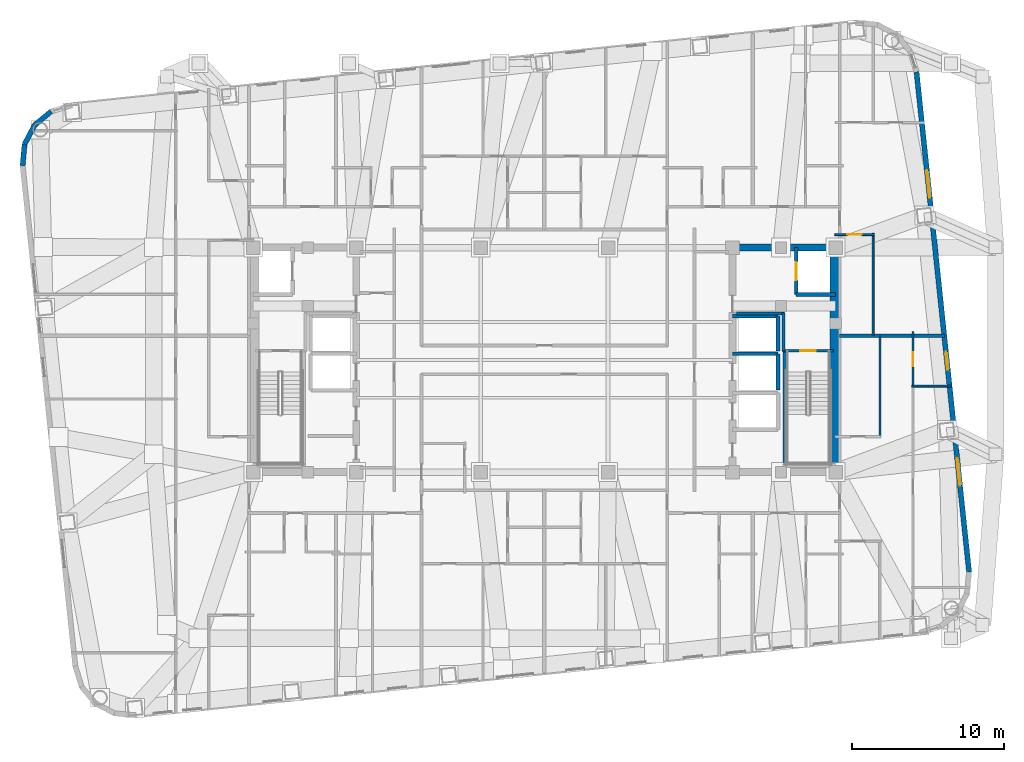
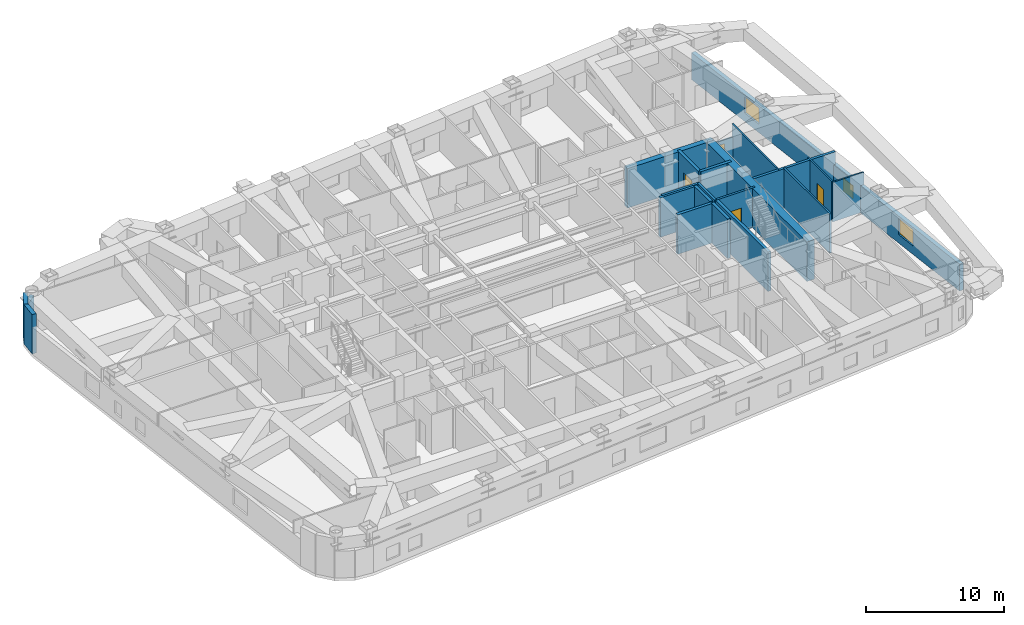
# One storey, part 8 of 13: 22 walls, 4 doors, 3 windows, 7 openings.
"""IFC4 building model written with IfcOpenShell, lengths in metres."""

from ifc_helpers import new_model, si_unit, direction, frame, frame_2d, origin, place, context, subcontext, project, spatial, rectangle, extrude, material, layer, layer_set, type_object, element, fill, save


model = new_model("IFC4")

# Units and contexts
model_context = context("Model", 3, precision=1e-05, world=origin(), true_north=direction((0.0, 1.0)))
body_context = subcontext(model_context, "Body", "Model", "MODEL_VIEW")
ifc_project = project(units=[si_unit("LENGTHUNIT", "METRE"), si_unit("AREAUNIT", "SQUARE_METRE"), si_unit("VOLUMEUNIT", "CUBIC_METRE"), si_unit("PLANEANGLEUNIT", "RADIAN"), si_unit("MASSUNIT", "GRAM", prefix="KILO")], contexts=[model_context])

# Site, building, storey
site_placement = place(None, origin())
site = spatial("IfcSite", under=ifc_project, at=site_placement, CompositionType="ELEMENT")
building_placement = place(site_placement, origin())
building = spatial("IfcBuilding", under=site, at=building_placement, Name="Voryun Gate Residences", CompositionType="ELEMENT")
storey_placement = place(building_placement, frame((0.0, 0.0, 191.10009765625)))
storey = spatial("IfcBuildingStorey", under=building, at=storey_placement, Name="L47", CompositionType="ELEMENT", Elevation=191.10009765625)

# Walls
ifc_material_1 = material(Name="Concrete C50/60", Category="concrete")
ifc_layer_1 = layer(ifc_material_1, 0.449951171875, Name="CW_CORE_450")
ifc_layer_set_1 = layer_set([ifc_layer_1], Name="Concrete C50/60")
wall_type_1 = type_object("IfcWallType", Name="CW_CORE_450", PredefinedType="SHEAR", material=ifc_layer_set_1)
wall_1_placement = place(storey_placement, frame((12.175048828125, 7.39990234375, 0.0), z_axis=(0.0, 0.0, 1.0), x_axis=(1.0, 0.0, 0.0)))
element("IfcWall", 1, at=wall_1_placement, inside=storey, type_object=wall_type_1, Name="L47 Core shear wall CW-L47-EN", PredefinedType="SHEAR", context=body_context, shape_type="SweptSolid", body=[
    extrude(rectangle(XDim=7.25, YDim=0.449951171875, at=frame_2d((3.625, 0.0))), origin(), (0.0, 0.0, 1.0), 3.5),
])
ifc_material_2 = material(Name="Concrete C60/75", Category="concrete")
ifc_layer_2 = layer(ifc_material_2, 0.64990234375, Name="CW_CORE_650")
ifc_layer_set_2 = layer_set([ifc_layer_2], Name="Concrete C60/75")
wall_type_2 = type_object("IfcWallType", Name="CW_CORE_650", PredefinedType="SHEAR", material=ifc_layer_set_2)
wall_2_placement = place(storey_placement, frame((19.14501953125, -7.39990234375, 0.0), z_axis=(0.0, 0.0, 1.0), x_axis=(0.0, 1.0, 0.0)))
element("IfcWall", 2, at=wall_2_placement, inside=storey, type_object=wall_type_2, Name="L47 Core shear wall CW-L47-EE", PredefinedType="SHEAR", context=body_context, shape_type="SweptSolid", body=[
    extrude(rectangle(XDim=14.7998046875, YDim=0.64990234375, at=frame_2d((7.39990234375, 0.0))), origin(), (0.0, 0.0, 1.0), 3.5),
])

# Wall, opening, door
ifc_material_3 = material(Name="Gypsum acoustic fireboard")
ifc_layer_3 = layer(ifc_material_3, 0.179931640625, Name="W_CORR_RATED_180")
ifc_layer_set_3 = layer_set([ifc_layer_3], Name="Gypsum acoustic fireboard")
wall_type_3 = type_object("IfcWallType", Name="W_CORR_RATED_180", PredefinedType="PARTITIONING", material=ifc_layer_set_3)
wall_3_placement = place(storey_placement, frame((15.699951171875, 0.60009765625, 0.0), z_axis=(0.0, 0.0, 1.0), x_axis=(1.0, 0.0, 0.0)))
wall_3 = element("IfcWall", 3, at=wall_3_placement, inside=storey, type_object=wall_type_3, Name="Partition wall WP-L47-STV-E", PredefinedType="PARTITIONING", context=body_context, shape_type="SweptSolid", body=[
    extrude(rectangle(XDim=3.360107421875, YDim=0.179931640625, at=frame_2d((1.68017578125, 0.0))), origin(), (0.0, 0.0, 1.0), 3.5),
])
opening_1_placement = place(wall_3_placement, frame((1.155029296875, 0.0, 0.0)))
opening_1 = element("IfcOpeningElement", 4, at=opening_1_placement, cuts=wall_3, Name="Opening D-FD60-1", PredefinedType="OPENING", context=body_context, shape_type="SweptSolid", body=[
    extrude(rectangle(XDim=1.050048828125, YDim=2.050048828125, at=frame_2d((0.52490234375, 1.02490234375))), frame((0.0, 0.099853515625, 0.0), z_axis=(0.0, -1.0, 0.0), x_axis=(1.0, 0.0, 0.0)), (0.0, 0.0, 1.0), 0.199951171875),
])
ifc_material_4 = material(Name="Painted steel fire door", Category="steel")
door_type_1 = type_object("IfcDoorType", Name="DR_FD60_STAIR_1050", OperationType="NOTDEFINED", PredefinedType="DOOR", material=ifc_material_4)
door_1_placement = place(opening_1_placement, origin())
door_1 = element("IfcDoor", 5, at=door_1_placement, inside=storey, type_object=door_type_1, Name="Door DR-L47-ST-E", OperationType="SINGLE_SWING_RIGHT", OverallHeight=2.050048828125, OverallWidth=1.050048828125, PredefinedType="DOOR", context=body_context, shape_type="SweptSolid", body=[
    extrude(rectangle(XDim=1.050048828125, YDim=2.050048828125, at=frame_2d((0.52490234375, 1.02490234375))), frame((0.0, 0.02490234375, 0.0), z_axis=(0.0, -1.0, 0.0), x_axis=(1.0, 0.0, 0.0)), (0.0, 0.0, 1.0), 0.050048828125),
])
fill(opening_1, door_1)

# Walls
ifc_material_5 = material(Name="Charcoal terracotta masonry", Category="masonry")
ifc_layer_4 = layer(ifc_material_5, 0.340087890625, Name="W_EXT_TERRACOTTA_340")
ifc_layer_set_4 = layer_set([ifc_layer_4], Name="Charcoal terracotta masonry")
wall_type_4 = type_object("IfcWallType", Name="W_EXT_TERRACOTTA_340", PredefinedType="ELEMENTEDWALL", material=ifc_layer_set_4)
wall_4_placement = place(storey_placement, frame((-34.401123046875, 12.795166015625, 0.0), z_axis=(0.0, 0.0, 1.0), x_axis=(0.091534682358, 0.995801888894, 0.0)))
element("IfcWall", 6, at=wall_4_placement, inside=storey, type_object=wall_type_4, Name="Exterior wall WEXT-L47-07", PredefinedType="ELEMENTEDWALL", context=body_context, shape_type="SweptSolid", body=[
    extrude(rectangle(XDim=1.432373046875, YDim=0.340087890625, at=frame_2d((0.71630859375, 0.0))), origin(), (0.0, 0.0, 1.0), 3.5),
])
wall_5_placement = place(storey_placement, frame((-34.27001953125, 14.221435546875, 0.0), z_axis=(0.0, 0.0, 1.0), x_axis=(0.465682431293, 0.884951904447, 0.0)))
element("IfcWall", 7, at=wall_5_placement, inside=storey, type_object=wall_type_4, Name="Exterior wall WEXT-L47-08", PredefinedType="ELEMENTEDWALL", context=body_context, shape_type="SweptSolid", body=[
    extrude(rectangle(XDim=1.4150390625, YDim=0.340087890625, at=frame_2d((0.70751953125, 0.0))), origin(), (0.0, 0.0, 1.0), 3.5),
])
wall_6_placement = place(storey_placement, frame((-33.611083984375, 15.4736328125, 0.0), z_axis=(0.0, 0.0, 1.0), x_axis=(0.768843196093, 0.639437361921, 0.0)))
element("IfcWall", 8, at=wall_6_placement, inside=storey, type_object=wall_type_4, Name="Exterior wall WEXT-L47-09", PredefinedType="ELEMENTEDWALL", context=body_context, shape_type="SweptSolid", body=[
    extrude(rectangle(XDim=1.4150390625, YDim=0.340087890625, at=frame_2d((0.70751953125, 0.0))), origin(), (0.0, 0.0, 1.0), 2.389892578125),
])

# Wall, openings, windows
wall_7_placement = place(storey_placement, frame((24.5341796875, 18.989501953125, 0.0), z_axis=(0.0, 0.0, 1.0), x_axis=(0.104534959766, -0.994521212537, 0.0)))
wall_7 = element("IfcWall", 9, at=wall_7_placement, inside=storey, type_object=wall_type_4, Name="Exterior wall WEXT-L47-16", PredefinedType="ELEMENTEDWALL", context=body_context, shape_type="SweptSolid", body=[
    extrude(rectangle(XDim=33.166259765625, YDim=0.340087890625, at=frame_2d((16.5830078125, 0.0))), origin(), (0.0, 0.0, 1.0), 2.389892578125),
])
opening_2_placement = place(wall_7_placement, frame((6.54150390625, 0.0, 0.75)))
opening_2 = element("IfcOpeningElement", 10, at=opening_2_placement, cuts=wall_7, Name="Opening WN1", PredefinedType="OPENING", context=body_context, shape_type="SweptSolid", body=[
    extrude(rectangle(XDim=1.800048828125, YDim=1.449951171875, at=frame_2d((0.89990234375, 0.72509765625))), frame((0.0, 0.179931640625, 0.0), z_axis=(0.0, -1.0, 0.0), x_axis=(1.0, 0.0, 0.0)), (0.0, 0.0, 1.0), 0.360107421875),
])
opening_3_placement = place(wall_7_placement, frame((25.625, 0.0, 0.75)))
opening_3 = element("IfcOpeningElement", 11, at=opening_3_placement, cuts=wall_7, Name="Opening WN1", PredefinedType="OPENING", context=body_context, shape_type="SweptSolid", body=[
    extrude(rectangle(XDim=1.800048828125, YDim=1.449951171875, at=frame_2d((0.89990234375, 0.72509765625))), frame((0.0, 0.179931640625, 0.0), z_axis=(0.0, -1.0, 0.0), x_axis=(1.0, 0.0, 0.0)), (0.0, 0.0, 1.0), 0.360107421875),
])
opening_4_placement = place(wall_7_placement, frame((18.557373046875, 0.0, 0.550048828125)))
opening_4 = element("IfcOpeningElement", 12, at=opening_4_placement, cuts=wall_7, Name="Opening WN6", PredefinedType="OPENING", context=body_context, shape_type="SweptSolid", body=[
    extrude(rectangle(XDim=1.199951171875, YDim=1.14990234375, at=frame_2d((0.60009765625, 0.574951171875))), frame((0.0, 0.179931640625, 0.0), z_axis=(0.0, -1.0, 0.0), x_axis=(1.0, 0.0, 0.0)), (0.0, 0.0, 1.0), 0.360107421875),
])
ifc_material_6 = material(Name="Laminated low-E glass", Category="glass")
window_type_1 = type_object("IfcWindowType", Name="WN_POD_SLOT_1200", PartitioningType="SINGLE_PANEL", PredefinedType="WINDOW", material=ifc_material_6)
window_1_placement = place(opening_4_placement, origin())
window_1 = element("IfcWindow", 13, at=window_1_placement, inside=storey, type_object=window_type_1, Name="Window WN-L47-DWFIX-27", OverallHeight=1.14990234375, OverallWidth=1.199951171875, PartitioningType="SINGLE_PANEL", PredefinedType="WINDOW", context=body_context, shape_type="SweptSolid", body=[
    extrude(rectangle(XDim=1.199951171875, YDim=1.14990234375, at=frame_2d((0.60009765625, 0.574951171875))), frame((0.0, 0.030029296875, 0.0), z_axis=(0.0, -1.0, 0.0), x_axis=(1.0, 0.0, 0.0)), (0.0, 0.0, 1.0), 0.06005859375),
])
fill(opening_4, window_1)
ifc_material_7 = material(Name="Laminated low-E glass", Category="glass")
window_type_2 = type_object("IfcWindowType", Name="WN_RES_PUNCH_1800", PartitioningType="SINGLE_PANEL", PredefinedType="WINDOW", material=ifc_material_7)
window_2_placement = place(opening_2_placement, origin())
window_2 = element("IfcWindow", 14, at=window_2_placement, inside=storey, type_object=window_type_2, Name="Window WN-WEXT-L47-16-01", OverallHeight=1.449951171875, OverallWidth=1.800048828125, PartitioningType="SINGLE_PANEL", PredefinedType="WINDOW", context=body_context, shape_type="SweptSolid", body=[
    extrude(rectangle(XDim=1.800048828125, YDim=1.449951171875, at=frame_2d((0.89990234375, 0.72509765625))), frame((0.0, 0.030029296875, 0.0), z_axis=(0.0, -1.0, 0.0), x_axis=(1.0, 0.0, 0.0)), (0.0, 0.0, 1.0), 0.06005859375),
])
fill(opening_2, window_2)
window_3_placement = place(opening_3_placement, origin())
window_3 = element("IfcWindow", 15, at=window_3_placement, inside=storey, type_object=window_type_2, Name="Window WN-WEXT-L47-16-02", OverallHeight=1.449951171875, OverallWidth=1.800048828125, PartitioningType="SINGLE_PANEL", PredefinedType="WINDOW", context=body_context, shape_type="SweptSolid", body=[
    extrude(rectangle(XDim=1.800048828125, YDim=1.449951171875, at=frame_2d((0.89990234375, 0.72509765625))), frame((0.0, 0.030029296875, 0.0), z_axis=(0.0, -1.0, 0.0), x_axis=(1.0, 0.0, 0.0)), (0.0, 0.0, 1.0), 0.06005859375),
])
fill(opening_3, window_3)

# Walls
ifc_material_8 = material(Name="Concrete C40/50", Category="concrete")
ifc_layer_5 = layer(ifc_material_8, 0.199951171875, Name="W_FF_LOBBY_200")
ifc_layer_set_5 = layer_set([ifc_layer_5], Name="Concrete C40/50")
wall_type_5 = type_object("IfcWallType", Name="W_FF_LOBBY_200", PredefinedType="PARTITIONING", material=ifc_layer_set_5)
wall_8_placement = place(storey_placement, frame((15.760009765625, 0.580078125, 0.0), z_axis=(0.0, 0.0, 1.0), x_axis=(0.0, 1.0, 0.0)))
element("IfcWall", 16, at=wall_8_placement, inside=storey, type_object=wall_type_5, Name="Partition wall WP-L47-FFP0-E", PredefinedType="PARTITIONING", context=body_context, shape_type="SweptSolid", body=[
    extrude(rectangle(XDim=2.52001953125, YDim=0.199951171875, at=frame_2d((1.260009765625, 0.0))), origin(), (0.0, 0.0, 1.0), 3.5),
])
wall_9_placement = place(storey_placement, frame((12.659912109375, 3.06005859375, 0.0), z_axis=(0.0, 0.0, 1.0), x_axis=(1.0, 0.0, 0.0)))
element("IfcWall", 17, at=wall_9_placement, inside=storey, type_object=wall_type_5, Name="Partition wall WP-L47-FFPS-E", PredefinedType="PARTITIONING", context=body_context, shape_type="SweptSolid", body=[
    extrude(rectangle(XDim=3.16015625, YDim=0.199951171875, at=frame_2d((1.580078125, 0.0))), origin(), (0.0, 0.0, 1.0), 3.5),
])
ifc_material_9 = material(Name="Concrete C40/50", Category="concrete")
ifc_layer_6 = layer(ifc_material_9, 0.219970703125, Name="W_PARTY_ACOUSTIC_220")
ifc_layer_set_6 = layer_set([ifc_layer_6], Name="Concrete C40/50")
wall_type_6 = type_object("IfcWallType", Name="W_PARTY_ACOUSTIC_220", PredefinedType="PARTITIONING", material=ifc_layer_set_6)
wall_10_placement = place(storey_placement, frame((19.469970703125, 1.60009765625, 0.0), z_axis=(0.0, 0.0, 1.0), x_axis=(1.0, 0.0, 0.0)))
element("IfcWall", 18, at=wall_10_placement, inside=storey, type_object=wall_type_6, Name="Partition wall WP-L47-EPTY", PredefinedType="PARTITIONING", context=body_context, shape_type="SweptSolid", body=[
    extrude(rectangle(XDim=6.89208984375, YDim=0.219970703125, at=frame_2d((3.446044921875, 0.0))), origin(), (0.0, 0.0, 1.0), 3.5),
])
ifc_material_10 = material(Name="Concrete C50/60", Category="concrete")
ifc_layer_7 = layer(ifc_material_10, 0.25, Name="W_SHAFT_RC250")
ifc_layer_set_7 = layer_set([ifc_layer_7], Name="Concrete C50/60")
wall_type_7 = type_object("IfcWallType", Name="W_SHAFT_RC250", PredefinedType="SOLIDWALL", material=ifc_layer_set_7)
wall_11_placement = place(storey_placement, frame((15.860107421875, -7.0849609375, 0.0), z_axis=(0.0, 0.0, 1.0), x_axis=(0.0, 1.0, 0.0)))
element("IfcWall", 19, at=wall_11_placement, inside=storey, type_object=wall_type_7, Name="L47 Stair shaft structural wall E-STL", PredefinedType="SOLIDWALL", context=body_context, shape_type="SweptSolid", body=[
    extrude(rectangle(XDim=7.68505859375, YDim=0.25, at=frame_2d((3.842529296875, 0.0))), origin(), (0.0, 0.0, 1.0), 3.5),
])
wall_12_placement = place(storey_placement, frame((16.60009765625, 4.300048828125, 0.0), z_axis=(0.0, 0.0, 1.0), x_axis=(1.0, 0.0, 0.0)))
element("IfcWall", 20, at=wall_12_placement, inside=storey, type_object=wall_type_7, Name="Lift shaft wall WSH-L47-EL-FF-E1-S", PredefinedType="SOLIDWALL", context=body_context, shape_type="SweptSolid", body=[
    extrude(rectangle(XDim=2.599853515625, YDim=0.25, at=frame_2d((1.2998046875, 0.0))), origin(), (0.0, 0.0, 1.0), 3.5),
])

# Wall, opening, door
wall_13_placement = place(storey_placement, frame((16.60009765625, 7.39990234375, 0.0), z_axis=(0.0, 0.0, 1.0), x_axis=(0.0, -1.0, 0.0)))
wall_13 = element("IfcWall", 21, at=wall_13_placement, inside=storey, type_object=wall_type_7, Name="Lift shaft wall WSH-L47-EL-FF-E1-W", PredefinedType="SOLIDWALL", context=body_context, shape_type="SweptSolid", body=[
    extrude(rectangle(XDim=3.099853515625, YDim=0.25, at=frame_2d((1.5498046875, 0.0))), origin(), (0.0, 0.0, 1.0), 3.5),
])
opening_5_placement = place(wall_13_placement, frame((0.949951171875, 0.0, 0.0)))
opening_5 = element("IfcOpeningElement", 22, at=opening_5_placement, cuts=wall_13, Name="Opening LD1", PredefinedType="OPENING", context=body_context, shape_type="SweptSolid", body=[
    extrude(rectangle(XDim=1.199951171875, YDim=2.050048828125, at=frame_2d((0.60009765625, 1.02490234375))), frame((0.0, 0.135009765625, 0.0), z_axis=(0.0, -1.0, 0.0), x_axis=(1.0, 0.0, 0.0)), (0.0, 0.0, 1.0), 0.27001953125),
])
ifc_material_11 = material(Name="Anodised aluminium", Category="aluminium")
door_type_2 = type_object("IfcDoorType", Name="DR_LD_FF_1200", OperationType="NOTDEFINED", PredefinedType="DOOR", material=ifc_material_11)
door_2_placement = place(opening_5_placement, origin())
door_2 = element("IfcDoor", 23, at=door_2_placement, inside=storey, type_object=door_type_2, Name="Lift EL-FF-E1 sliding landing door L47", OperationType="SLIDING_TO_LEFT", OverallHeight=2.050048828125, OverallWidth=1.199951171875, PredefinedType="DOOR", context=body_context, shape_type="SweptSolid", body=[
    extrude(rectangle(XDim=1.199951171875, YDim=2.050048828125, at=frame_2d((0.60009765625, 1.02490234375))), frame((0.0, 0.02490234375, 0.0), z_axis=(0.0, -1.0, 0.0), x_axis=(1.0, 0.0, 0.0)), (0.0, 0.0, 1.0), 0.050048828125),
])
fill(opening_5, door_2)

# Walls
wall_14_placement = place(storey_placement, frame((15.39990234375, -2.0, 0.0), z_axis=(0.0, 0.0, 1.0), x_axis=(0.0, 1.0, 0.0)))
element("IfcWall", 24, at=wall_14_placement, inside=storey, type_object=wall_type_7, Name="Lift shaft wall WSH-L47-EL-P6-E", PredefinedType="SOLIDWALL", context=body_context, shape_type="SweptSolid", body=[
    extrude(rectangle(XDim=2.39990234375, YDim=0.25, at=frame_2d((1.199951171875, 0.0))), origin(), (0.0, 0.0, 1.0), 3.5),
])
wall_15_placement = place(storey_placement, frame((15.39990234375, 0.39990234375, 0.0), z_axis=(0.0, 0.0, 1.0), x_axis=(-1.0, 0.0, 0.0)))
element("IfcWall", 25, at=wall_15_placement, inside=storey, type_object=wall_type_7, Name="Lift shaft wall WSH-L47-EL-P6-N", PredefinedType="SOLIDWALL", context=body_context, shape_type="SweptSolid", body=[
    extrude(rectangle(XDim=3.0, YDim=0.25, at=frame_2d((1.5, 0.0))), origin(), (0.0, 0.0, 1.0), 3.5),
])
wall_16_placement = place(storey_placement, frame((15.39990234375, 0.60009765625, 0.0), z_axis=(0.0, 0.0, 1.0), x_axis=(0.0, 1.0, 0.0)))
element("IfcWall", 26, at=wall_16_placement, inside=storey, type_object=wall_type_7, Name="Lift shaft wall WSH-L47-EL-P8-E", PredefinedType="SOLIDWALL", context=body_context, shape_type="SweptSolid", body=[
    extrude(rectangle(XDim=2.2998046875, YDim=0.25, at=frame_2d((1.14990234375, 0.0))), origin(), (0.0, 0.0, 1.0), 3.5),
])
wall_17_placement = place(storey_placement, frame((15.39990234375, 2.89990234375, 0.0), z_axis=(0.0, 0.0, 1.0), x_axis=(-1.0, 0.0, 0.0)))
element("IfcWall", 27, at=wall_17_placement, inside=storey, type_object=wall_type_7, Name="Lift shaft wall WSH-L47-EL-P8-N", PredefinedType="SOLIDWALL", context=body_context, shape_type="SweptSolid", body=[
    extrude(rectangle(XDim=3.0, YDim=0.25, at=frame_2d((1.5, 0.0))), origin(), (0.0, 0.0, 1.0), 3.5),
])
ifc_material_12 = material(Name="Gypsum acoustic partition")
ifc_layer_8 = layer(ifc_material_12, 0.125, Name="W_UNIT_PART_125")
ifc_layer_set_8 = layer_set([ifc_layer_8], Name="Gypsum acoustic partition")
wall_type_8 = type_object("IfcWallType", Name="W_UNIT_PART_125", PredefinedType="PARTITIONING", material=ifc_layer_set_8)
wall_18_placement = place(storey_placement, frame((24.219970703125, -1.72998046875, 0.0), z_axis=(0.0, 0.0, 1.0), x_axis=(1.0, 0.0, 0.0)))
element("IfcWall", 28, at=wall_18_placement, inside=storey, type_object=wall_type_8, Name="Partition wall WP-L47-E1-OH2", PredefinedType="PARTITIONING", context=body_context, shape_type="SweptSolid", body=[
    extrude(rectangle(XDim=2.642822265625, YDim=0.125, at=frame_2d((1.3212890625, 0.0))), origin(), (0.0, 0.0, 1.0), 3.5),
])

# Wall, opening, door
wall_19_placement = place(storey_placement, frame((24.300048828125, -1.780029296875, 0.0), z_axis=(0.0, 0.0, 1.0), x_axis=(0.0, 1.0, 0.0)))
wall_19 = element("IfcWall", 29, at=wall_19_placement, inside=storey, type_object=wall_type_8, Name="Partition wall WP-L47-E1-OVX3", PredefinedType="PARTITIONING", context=body_context, shape_type="SweptSolid", body=[
    extrude(rectangle(XDim=3.64013671875, YDim=0.125, at=frame_2d((1.820068359375, 0.0))), origin(), (0.0, 0.0, 1.0), 3.5),
])
opening_6_placement = place(wall_19_placement, frame((1.3701171875, 0.0, 0.0)))
opening_6 = element("IfcOpeningElement", 30, at=opening_6_placement, cuts=wall_19, Name="Opening D-INT-2", PredefinedType="OPENING", context=body_context, shape_type="SweptSolid", body=[
    extrude(rectangle(XDim=0.89990234375, YDim=2.050048828125, at=frame_2d((0.449951171875, 1.02490234375))), frame((0.0, 0.072509765625, 0.0), z_axis=(0.0, -1.0, 0.0), x_axis=(1.0, 0.0, 0.0)), (0.0, 0.0, 1.0), 0.14501953125),
])
ifc_material_13 = material(Name="Architectural oak veneer")
door_type_3 = type_object("IfcDoorType", Name="DR_INT_BATH_900", OperationType="NOTDEFINED", PredefinedType="DOOR", material=ifc_material_13)
door_3_placement = place(opening_6_placement, origin())
door_3 = element("IfcDoor", 31, at=door_3_placement, inside=storey, type_object=door_type_3, Name="Door DR-L47-E1-DMB", OperationType="SINGLE_SWING_LEFT", OverallHeight=2.050048828125, OverallWidth=0.89990234375, PredefinedType="DOOR", context=body_context, shape_type="SweptSolid", body=[
    extrude(rectangle(XDim=0.89990234375, YDim=2.050048828125, at=frame_2d((0.449951171875, 1.02490234375))), frame((0.0, 0.02490234375, 0.0), z_axis=(0.0, -1.0, 0.0), x_axis=(1.0, 0.0, 0.0)), (0.0, 0.0, 1.0), 0.050048828125),
])
fill(opening_6, door_3)

wall_20_placement = place(storey_placement, frame((19.14990234375, 8.260009765625, 0.0), z_axis=(0.0, 0.0, 1.0), x_axis=(1.0, 0.0, 0.0)))
wall_20 = element("IfcWall", 32, at=wall_20_placement, inside=storey, type_object=wall_type_8, Name="Partition wall WP-L47-E2-IKA", PredefinedType="PARTITIONING", context=body_context, shape_type="SweptSolid", body=[
    extrude(rectangle(XDim=2.606201171875, YDim=0.125, at=frame_2d((1.30322265625, 0.0))), origin(), (0.0, 0.0, 1.0), 2.389892578125),
])
opening_7_placement = place(wall_20_placement, frame((0.827880859375, 0.0, 0.0)))
opening_7 = element("IfcOpeningElement", 33, at=opening_7_placement, cuts=wall_20, Name="Opening D-INT-1", PredefinedType="OPENING", context=body_context, shape_type="SweptSolid", body=[
    extrude(rectangle(XDim=0.949951171875, YDim=2.050048828125, at=frame_2d((0.47509765625, 1.02490234375))), frame((0.0, 0.072509765625, 0.0), z_axis=(0.0, -1.0, 0.0), x_axis=(1.0, 0.0, 0.0)), (0.0, 0.0, 1.0), 0.14501953125),
])
ifc_material_14 = material(Name="Architectural oak veneer")
door_type_4 = type_object("IfcDoorType", Name="DR_INT_ROOM_950", OperationType="NOTDEFINED", PredefinedType="DOOR", material=ifc_material_14)
door_4_placement = place(opening_7_placement, origin())
door_4 = element("IfcDoor", 34, at=door_4_placement, inside=storey, type_object=door_type_4, Name="Door DR-L47-E2-DK", OperationType="SINGLE_SWING_LEFT", OverallHeight=2.050048828125, OverallWidth=0.949951171875, PredefinedType="DOOR", context=body_context, shape_type="SweptSolid", body=[
    extrude(rectangle(XDim=0.949951171875, YDim=2.050048828125, at=frame_2d((0.47509765625, 1.02490234375))), frame((0.0, 0.02490234375, 0.0), z_axis=(0.0, -1.0, 0.0), x_axis=(1.0, 0.0, 0.0)), (0.0, 0.0, 1.0), 0.050048828125),
])
fill(opening_7, door_4)

# Walls
wall_21_placement = place(storey_placement, frame((21.676025390625, 1.6201171875, 0.0), z_axis=(0.0, 0.0, 1.0), x_axis=(0.0, 1.0, 0.0)))
element("IfcWall", 35, at=wall_21_placement, inside=storey, type_object=wall_type_8, Name="Partition wall WP-L47-E2-VTA", PredefinedType="PARTITIONING", context=body_context, shape_type="SweptSolid", body=[
    extrude(rectangle(XDim=6.719970703125, YDim=0.125, at=frame_2d((3.35986328125, 0.0))), origin(), (0.0, 0.0, 1.0), 3.5),
])
ifc_material_15 = material(Name="Gypsum moisture-resistant partition")
ifc_layer_9 = layer(ifc_material_15, 0.14990234375, Name="W_WET_PLUMB_150")
ifc_layer_set_9 = layer_set([ifc_layer_9], Name="Gypsum moisture-resistant partition")
wall_type_9 = type_object("IfcWallType", Name="W_WET_PLUMB_150", PredefinedType="PLUMBINGWALL", material=ifc_layer_set_9)
wall_22_placement = place(storey_placement, frame((22.1201171875, -5.139892578125, 0.0), z_axis=(0.0, 0.0, 1.0), x_axis=(0.0, 1.0, 0.0)))
element("IfcWall", 36, at=wall_22_placement, inside=storey, type_object=wall_type_9, Name="Partition wall WP-L47-E1-VTB", PredefinedType="PLUMBINGWALL", context=body_context, shape_type="SweptSolid", body=[
    extrude(rectangle(XDim=6.719970703125, YDim=0.14990234375, at=frame_2d((3.35986328125, 0.0))), origin(), (0.0, 0.0, 1.0), 3.5),
])

save(model, "model.ifc")
